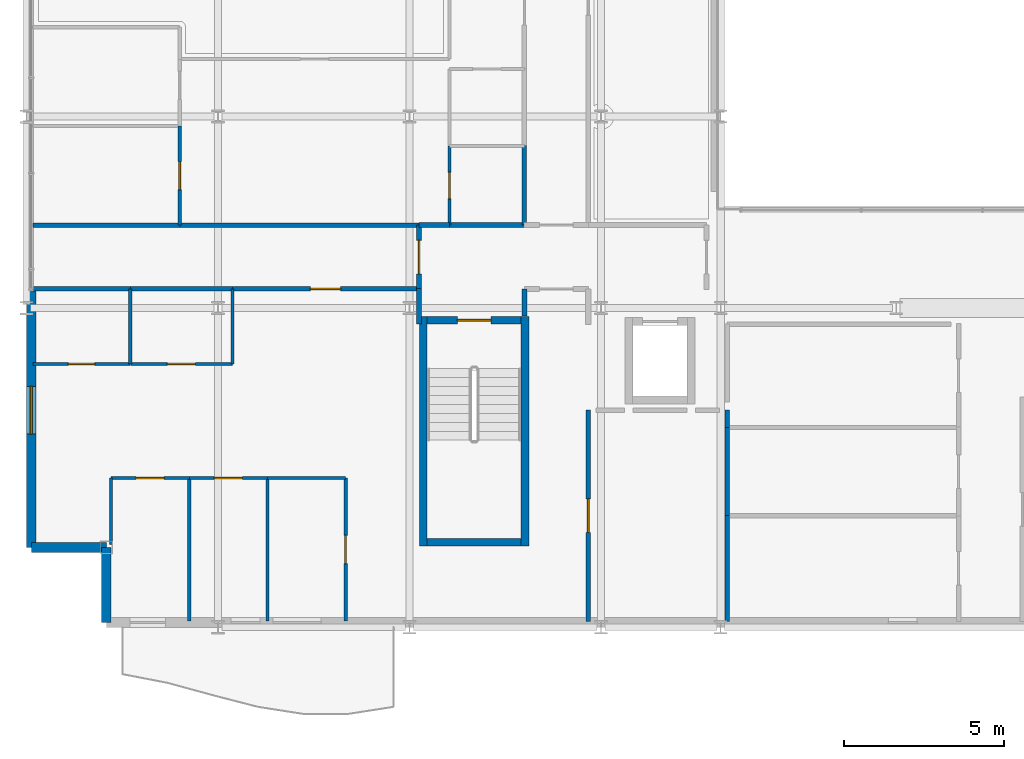
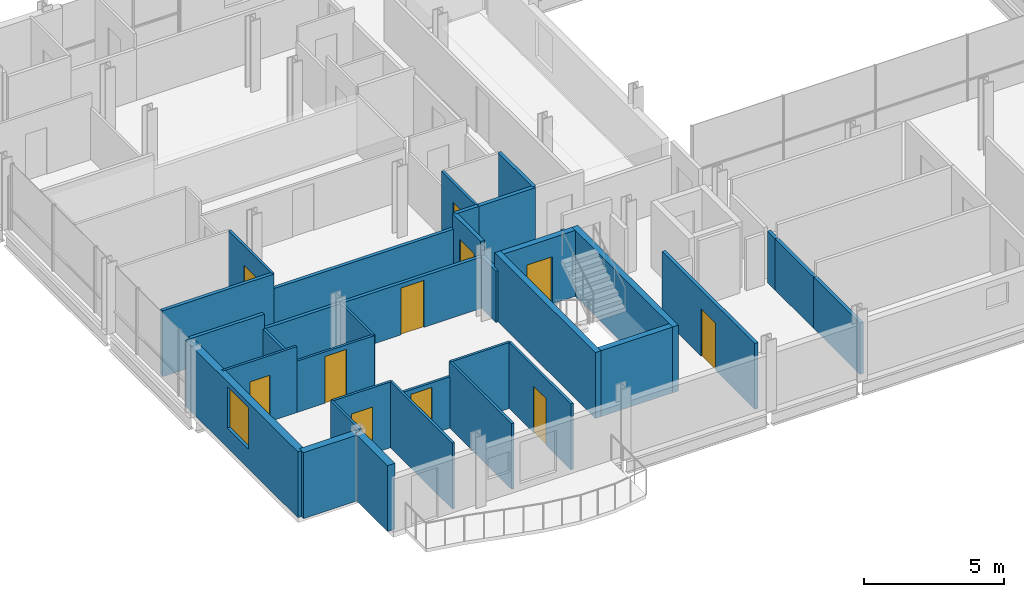
# One storey, part 33 of 41: 35 walls, 11 doors, 1 window, 12 openings.
"""IFC4 building model written with IfcOpenShell, lengths in metres."""

from ifc_helpers import new_model, si_unit, direction, frame, frame_2d, origin, place, context, subcontext, project, spatial, rectangle, extrude, material, layer, layer_set, type_object, element, fill, save


model = new_model("IFC4")

# Units and contexts
model_context = context("Model", 3, precision=1e-05, world=origin(), true_north=direction((0.0, 1.0)))
body_context = subcontext(model_context, "Body", "Model", "MODEL_VIEW")
ifc_project = project(units=[si_unit("LENGTHUNIT", "METRE"), si_unit("AREAUNIT", "SQUARE_METRE"), si_unit("VOLUMEUNIT", "CUBIC_METRE"), si_unit("PLANEANGLEUNIT", "RADIAN"), si_unit("MASSUNIT", "GRAM", prefix="KILO")], contexts=[model_context])

# Site, building, storey
site_placement = place(None, origin())
site = spatial("IfcSite", under=ifc_project, at=site_placement, CompositionType="ELEMENT")
building_placement = place(site_placement, origin())
building = spatial("IfcBuilding", under=site, at=building_placement, Name="Brevholm Reach", CompositionType="ELEMENT")
storey_placement = place(building_placement, frame((0.0, 0.0, 163.5)))
storey = spatial("IfcBuildingStorey", under=building, at=storey_placement, Name="L49", CompositionType="ELEMENT", Elevation=163.5)

# Walls
ifc_material_1 = material(Name="Concrete C45/55", Category="concrete")
ifc_layer_1 = layer(ifc_material_1, 0.239990234375)
ifc_layer_set_1 = layer_set([ifc_layer_1], Name="Concrete C45/55")
wall_type_1 = type_object("IfcWallType", Name="WAL-COR-240", PredefinedType="SHEAR", material=ifc_layer_set_1)
for number, where, z_axis, x_axis, name in (
    (1, (12.429931640625, 2.5400390625, 0.0), (0.0, 0.0, 1.0), (0.0, 1.0, 0.0), "L49 Escape Stair ST-1 Core Wall W"),
    (2, (15.6201171875, 2.5400390625, 0.0), (0.0, 0.0, 1.0), (0.0, 1.0, 0.0), "L49 Escape Stair ST-1 Core Wall E"),
):
    element("IfcWall", number, at=place(storey_placement, frame(where, z_axis=z_axis, x_axis=x_axis)), inside=storey, type_object=wall_type_1, Name=name, PredefinedType="SHEAR", context=body_context, shape_type="SweptSolid", body=[
        extrude(rectangle(XDim=7.199951171875, YDim=0.239990234375, at=frame_2d((3.60009765625, 0.0))), origin(), (0.0, 0.0, 1.0), 2.8798828125),
    ])
wall_1_placement = place(storey_placement, frame((12.550048828125, 2.659912109375, 0.0), z_axis=(0.0, 0.0, 1.0), x_axis=(1.0, 0.0, 0.0)))
element("IfcWall", 3, at=wall_1_placement, inside=storey, type_object=wall_type_1, Name="L49 Escape Stair ST-1 Core Wall S", PredefinedType="SHEAR", context=body_context, shape_type="SweptSolid", body=[
    extrude(rectangle(XDim=2.949951171875, YDim=0.239990234375, at=frame_2d((1.47509765625, 0.0))), origin(), (0.0, 0.0, 1.0), 2.8798828125),
])

# Wall, opening, door
wall_2_placement = place(storey_placement, frame((15.5, 9.6201171875, 0.0), z_axis=(0.0, 0.0, 1.0), x_axis=(-1.0, 0.0, 0.0)))
wall_2 = element("IfcWall", 4, at=wall_2_placement, inside=storey, type_object=wall_type_1, Name="L49 Escape Stair ST-1 Core Wall N", PredefinedType="SHEAR", context=body_context, shape_type="SweptSolid", body=[
    extrude(rectangle(XDim=2.949951171875, YDim=0.239990234375, at=frame_2d((1.47509765625, 0.0))), origin(), (0.0, 0.0, 1.0), 2.8798828125),
])
opening_1_placement = place(wall_2_placement, frame((0.949951171875, 0.0, 0.0)))
opening_1 = element("IfcOpeningElement", 5, at=opening_1_placement, cuts=wall_2, Name="Opening SD-ST-1", PredefinedType="OPENING", context=body_context, shape_type="SweptSolid", body=[
    extrude(rectangle(XDim=1.050048828125, YDim=2.06005859375, at=frame_2d((0.52490234375, 1.030029296875))), frame((0.0, 0.1298828125, 0.0), z_axis=(0.0, -1.0, 0.0), x_axis=(1.0, 0.0, 0.0)), (0.0, 0.0, 1.0), 0.260009765625),
])
ifc_material_2 = material(Name="Hardwood-Lipped Steel-Core Fire and Smoke Door", Category="steel")
door_type_1 = type_object("IfcDoorType", Name="DOR-INT-FD60S", OperationType="NOTDEFINED", PredefinedType="DOOR", material=ifc_material_2)
door_1_placement = place(opening_1_placement, origin())
door_1 = element("IfcDoor", 6, at=door_1_placement, inside=storey, type_object=door_type_1, Name="L49 Protected Stair ST-1 Lobby Door", OperationType="SINGLE_SWING_LEFT", OverallHeight=2.06005859375, OverallWidth=1.050048828125, PredefinedType="DOOR", context=body_context, shape_type="SweptSolid", body=[
    extrude(rectangle(XDim=1.050048828125, YDim=2.06005859375, at=frame_2d((0.52490234375, 1.030029296875))), frame((0.0, 0.02490234375, 0.0), z_axis=(0.0, -1.0, 0.0), x_axis=(1.0, 0.0, 0.0)), (0.0, 0.0, 1.0), 0.050048828125),
])
fill(opening_1, door_1)

# Walls
ifc_material_3 = material(Name="Concrete C40/50", Category="concrete")
ifc_layer_2 = layer(ifc_material_3, 0.300048828125)
ifc_layer_set_2 = layer_set([ifc_layer_2], Name="Concrete C40/50")
wall_type_2 = type_object("IfcWallType", Name="WAL-EXT-300", PredefinedType="STANDARD", material=ifc_layer_set_2)
for number, where, z_axis, x_axis, name in (
    (7, (2.5, 2.5, 0.0), (0.0, 0.0, 1.0), (0.0, -1.0, 0.0), "L49 Facade Wall WAL-L49-CSW1"),
    (8, (0.14990234375, 2.5, 0.0), (0.0, 0.0, 1.0), (1.0, 0.0, 0.0), "L49 Facade Wall WAL-L49-CSW2"),
):
    element("IfcWall", number, at=place(storey_placement, frame(where, z_axis=z_axis, x_axis=x_axis)), inside=storey, type_object=wall_type_2, Name=name, PredefinedType="STANDARD", context=body_context, shape_type="SweptSolid", body=[
        extrude(rectangle(XDim=2.35009765625, YDim=0.300048828125, at=frame_2d((1.175048828125, 0.0))), origin(), (0.0, 0.0, 1.0), 2.8798828125),
    ])

# Wall, opening, window
wall_3_placement = place(storey_placement, frame((0.14990234375, 10.550048828125, 0.0), z_axis=(0.0, 0.0, 1.0), x_axis=(0.0, -1.0, 0.0)))
wall_3 = element("IfcWall", 9, at=wall_3_placement, inside=storey, type_object=wall_type_2, Name="L49 Facade Wall WAL-L49-W-S", PredefinedType="STANDARD", context=body_context, shape_type="SweptSolid", body=[
    extrude(rectangle(XDim=8.050048828125, YDim=0.300048828125, at=frame_2d((4.02490234375, 0.0))), origin(), (0.0, 0.0, 1.0), 2.8798828125),
])
opening_2_placement = place(wall_3_placement, frame((3.0, 0.0, 0.860107421875)))
opening_2 = element("IfcOpeningElement", 10, at=opening_2_placement, cuts=wall_3, Name="Opening WN-05", PredefinedType="OPENING", context=body_context, shape_type="SweptSolid", body=[
    extrude(rectangle(XDim=1.5, YDim=1.800048828125, at=frame_2d((0.75, 0.89990234375))), frame((0.0, 0.159912109375, 0.0), z_axis=(0.0, -1.0, 0.0), x_axis=(1.0, 0.0, 0.0)), (0.0, 0.0, 1.0), 0.320068359375),
])
ifc_material_4 = material(Name="Dark Anodised Aluminium and Solar-Control IGU Glass", Category="aluminium")
window_type = type_object("IfcWindowType", Name="WIN-RES-1500", PartitioningType="SINGLE_PANEL", PredefinedType="WINDOW", material=ifc_material_4)
window_placement = place(opening_2_placement, origin())
window = element("IfcWindow", 11, at=window_placement, inside=storey, type_object=window_type, Name="L49 Window WIN-L49-WS-1", OverallHeight=1.800048828125, OverallWidth=1.5, PartitioningType="SINGLE_PANEL", PredefinedType="WINDOW", context=body_context, shape_type="SweptSolid", body=[
    extrude(rectangle(XDim=1.5, YDim=1.800048828125, at=frame_2d((0.75, 0.89990234375))), frame((0.0, 0.030029296875, 0.0), z_axis=(0.0, -1.0, 0.0), x_axis=(1.0, 0.0, 0.0)), (0.0, 0.0, 1.0), 0.06005859375),
])
fill(opening_2, window)

# Wall
ifc_material_5 = material(Name="Moisture-Resistant Acoustic Gypsum Stud Partition 100 mm", Category="gypsum")
ifc_layer_3 = layer(ifc_material_5, 0.10009765625)
ifc_layer_set_3 = layer_set([ifc_layer_3], Name="Moisture-Resistant Acoustic Gypsum Stud Partition 100 mm")
wall_type_3 = type_object("IfcWallType", Name="WAL-PRT-100", PredefinedType="PARTITIONING", material=ifc_layer_set_3)
wall_4_placement = place(storey_placement, frame((3.25, 8.25, 0.0), z_axis=(0.0, 0.0, 1.0), x_axis=(0.0, 1.0, 0.0)))
element("IfcWall", 12, at=wall_4_placement, inside=storey, type_object=wall_type_3, Name="L49 Internal Partition 061", PredefinedType="PARTITIONING", context=body_context, shape_type="SweptSolid", body=[
    extrude(rectangle(XDim=2.345947265625, YDim=0.10009765625, at=frame_2d((1.1728515625, 0.0))), origin(), (0.0, 0.0, 1.0), 2.242919921875),
])

# Wall, opening, door
wall_5_placement = place(storey_placement, frame((0.199951171875, 8.25, 0.0), z_axis=(0.0, 0.0, 1.0), x_axis=(1.0, 0.0, 0.0)))
wall_5 = element("IfcWall", 13, at=wall_5_placement, inside=storey, type_object=wall_type_3, Name="L49 Internal Partition 062", PredefinedType="PARTITIONING", context=body_context, shape_type="SweptSolid", body=[
    extrude(rectangle(XDim=3.050048828125, YDim=0.10009765625, at=frame_2d((1.52490234375, 0.0))), origin(), (0.0, 0.0, 1.0), 2.8798828125),
])
opening_3_placement = place(wall_5_placement, frame((1.114990234375, 0.0, 0.0)))
opening_3 = element("IfcOpeningElement", 14, at=opening_3_placement, cuts=wall_5, Name="Opening ID-03", PredefinedType="OPENING", context=body_context, shape_type="SweptSolid", body=[
    extrude(rectangle(XDim=0.820068359375, YDim=2.02001953125, at=frame_2d((0.41015625, 1.010009765625))), frame((0.0, 0.06005859375, 0.0), z_axis=(0.0, -1.0, 0.0), x_axis=(1.0, 0.0, 0.0)), (0.0, 0.0, 1.0), 0.1201171875),
])
ifc_material_6 = material(Name="Moisture-Resistant Painted Timber Internal Bathroom Door", Category="wood")
door_type_2 = type_object("IfcDoorType", Name="DOR-BATH-820", OperationType="NOTDEFINED", PredefinedType="DOOR", material=ifc_material_6)
door_2_placement = place(opening_3_placement, origin())
door_2 = element("IfcDoor", 15, at=door_2_placement, inside=storey, type_object=door_type_2, Name="L49 Internal Door 028", OperationType="SINGLE_SWING_RIGHT", OverallHeight=2.02001953125, OverallWidth=0.820068359375, PredefinedType="DOOR", context=body_context, shape_type="SweptSolid", body=[
    extrude(rectangle(XDim=0.820068359375, YDim=2.02001953125, at=frame_2d((0.41015625, 1.010009765625))), frame((0.0, 0.02490234375, 0.0), z_axis=(0.0, -1.0, 0.0), x_axis=(1.0, 0.0, 0.0)), (0.0, 0.0, 1.0), 0.050048828125),
])
fill(opening_3, door_2)

wall_6_placement = place(storey_placement, frame((3.25390625, 8.25, 0.0), z_axis=(0.0, 0.0, 1.0), x_axis=(1.0, 0.0, 0.0)))
wall_6 = element("IfcWall", 16, at=wall_6_placement, inside=storey, type_object=wall_type_3, Name="L49 Internal Partition 063", PredefinedType="PARTITIONING", context=body_context, shape_type="SweptSolid", body=[
    extrude(rectangle(XDim=3.196044921875, YDim=0.10009765625, at=frame_2d((1.59814453125, 0.0))), origin(), (0.0, 0.0, 1.0), 2.242919921875),
])
opening_4_placement = place(wall_6_placement, frame((1.157958984375, 0.0, 0.0)))
opening_4 = element("IfcOpeningElement", 17, at=opening_4_placement, cuts=wall_6, Name="Opening ID-01", PredefinedType="OPENING", context=body_context, shape_type="SweptSolid", body=[
    extrude(rectangle(XDim=0.8798828125, YDim=2.0400390625, at=frame_2d((0.43994140625, 1.02001953125))), frame((0.0, 0.06005859375, 0.0), z_axis=(0.0, -1.0, 0.0), x_axis=(1.0, 0.0, 0.0)), (0.0, 0.0, 1.0), 0.1201171875),
])
ifc_material_7 = material(Name="Lacquered Ash Solid-Core Acoustic Internal Door", Category="timber")
door_type_3 = type_object("IfcDoorType", Name="DOR-INT-880", OperationType="NOTDEFINED", PredefinedType="DOOR", material=ifc_material_7)
door_3_placement = place(opening_4_placement, origin())
door_3 = element("IfcDoor", 18, at=door_3_placement, inside=storey, type_object=door_type_3, Name="L49 Internal Door 029", OperationType="SINGLE_SWING_LEFT", OverallHeight=2.0400390625, OverallWidth=0.8798828125, PredefinedType="DOOR", context=body_context, shape_type="SweptSolid", body=[
    extrude(rectangle(XDim=0.8798828125, YDim=2.0400390625, at=frame_2d((0.43994140625, 1.02001953125))), frame((0.0, 0.02490234375, 0.0), z_axis=(0.0, -1.0, 0.0), x_axis=(1.0, 0.0, 0.0)), (0.0, 0.0, 1.0), 0.050048828125),
])
fill(opening_4, door_3)

# Walls
wall_7_placement = place(storey_placement, frame((6.449951171875, 8.25, 0.0), z_axis=(0.0, 0.0, 1.0), x_axis=(0.0, 1.0, 0.0)))
element("IfcWall", 19, at=wall_7_placement, inside=storey, type_object=wall_type_3, Name="L49 Internal Partition 064", PredefinedType="PARTITIONING", context=body_context, shape_type="SweptSolid", body=[
    extrude(rectangle(XDim=2.345947265625, YDim=0.10009765625, at=frame_2d((1.1728515625, 0.0))), origin(), (0.0, 0.0, 1.0), 2.242919921875),
])
wall_8_placement = place(storey_placement, frame((5.10009765625, 0.199951171875, 0.0), z_axis=(0.0, 0.0, 1.0), x_axis=(0.0, 1.0, 0.0)))
element("IfcWall", 20, at=wall_8_placement, inside=storey, type_object=wall_type_3, Name="L49 Internal Partition 065", PredefinedType="PARTITIONING", context=body_context, shape_type="SweptSolid", body=[
    extrude(rectangle(XDim=4.47216796875, YDim=0.10009765625, at=frame_2d((2.236083984375, 0.0))), origin(), (0.0, 0.0, 1.0), 2.8798828125),
])
wall_9_placement = place(storey_placement, frame((2.64990234375, 2.599365234375, 0.0), z_axis=(0.0, 0.0, 1.0), x_axis=(0.0, 1.0, 0.0)))
element("IfcWall", 21, at=wall_9_placement, inside=storey, type_object=wall_type_3, Name="L49 Internal Partition 066", PredefinedType="PARTITIONING", context=body_context, shape_type="SweptSolid", body=[
    extrude(rectangle(XDim=2.07275390625, YDim=0.10009765625, at=frame_2d((1.036376953125, 0.0))), origin(), (0.0, 0.0, 1.0), 2.8798828125),
])

# Wall, opening, door
wall_10_placement = place(storey_placement, frame((2.64990234375, 4.672119140625, 0.0), z_axis=(0.0, 0.0, 1.0), x_axis=(1.0, 0.0, 0.0)))
wall_10 = element("IfcWall", 22, at=wall_10_placement, inside=storey, type_object=wall_type_3, Name="L49 Internal Partition 067", PredefinedType="PARTITIONING", context=body_context, shape_type="SweptSolid", body=[
    extrude(rectangle(XDim=2.4501953125, YDim=0.10009765625, at=frame_2d((1.22509765625, 0.0))), origin(), (0.0, 0.0, 1.0), 2.8798828125),
])
opening_5_placement = place(wall_10_placement, frame((0.784912109375, 0.0, 0.0)))
opening_5 = element("IfcOpeningElement", 23, at=opening_5_placement, cuts=wall_10, Name="Opening ID-01", PredefinedType="OPENING", context=body_context, shape_type="SweptSolid", body=[
    extrude(rectangle(XDim=0.8798828125, YDim=2.0400390625, at=frame_2d((0.43994140625, 1.02001953125))), frame((0.0, 0.06005859375, 0.0), z_axis=(0.0, -1.0, 0.0), x_axis=(1.0, 0.0, 0.0)), (0.0, 0.0, 1.0), 0.1201171875),
])
door_4_placement = place(opening_5_placement, origin())
door_4 = element("IfcDoor", 24, at=door_4_placement, inside=storey, type_object=door_type_3, Name="L49 Internal Door 030", OperationType="SINGLE_SWING_RIGHT", OverallHeight=2.0400390625, OverallWidth=0.8798828125, PredefinedType="DOOR", context=body_context, shape_type="SweptSolid", body=[
    extrude(rectangle(XDim=0.8798828125, YDim=2.0400390625, at=frame_2d((0.43994140625, 1.02001953125))), frame((0.0, 0.02490234375, 0.0), z_axis=(0.0, -1.0, 0.0), x_axis=(1.0, 0.0, 0.0)), (0.0, 0.0, 1.0), 0.050048828125),
])
fill(opening_5, door_4)

# Wall
wall_11_placement = place(storey_placement, frame((7.550048828125, 0.199951171875, 0.0), z_axis=(0.0, 0.0, 1.0), x_axis=(0.0, 1.0, 0.0)))
element("IfcWall", 25, at=wall_11_placement, inside=storey, type_object=wall_type_3, Name="L49 Internal Partition 068", PredefinedType="PARTITIONING", context=body_context, shape_type="SweptSolid", body=[
    extrude(rectangle(XDim=4.47216796875, YDim=0.10009765625, at=frame_2d((2.236083984375, 0.0))), origin(), (0.0, 0.0, 1.0), 2.8798828125),
])

# Wall, opening, door
wall_12_placement = place(storey_placement, frame((5.10400390625, 4.672119140625, 0.0), z_axis=(0.0, 0.0, 1.0), x_axis=(1.0, 0.0, 0.0)))
wall_12 = element("IfcWall", 26, at=wall_12_placement, inside=storey, type_object=wall_type_3, Name="L49 Internal Partition 069", PredefinedType="PARTITIONING", context=body_context, shape_type="SweptSolid", body=[
    extrude(rectangle(XDim=2.446044921875, YDim=0.10009765625, at=frame_2d((1.22314453125, 0.0))), origin(), (0.0, 0.0, 1.0), 2.242919921875),
])
opening_6_placement = place(wall_12_placement, frame((0.782958984375, 0.0, 0.0)))
opening_6 = element("IfcOpeningElement", 27, at=opening_6_placement, cuts=wall_12, Name="Opening ID-01", PredefinedType="OPENING", context=body_context, shape_type="SweptSolid", body=[
    extrude(rectangle(XDim=0.8798828125, YDim=2.0400390625, at=frame_2d((0.43994140625, 1.02001953125))), frame((0.0, 0.06005859375, 0.0), z_axis=(0.0, -1.0, 0.0), x_axis=(1.0, 0.0, 0.0)), (0.0, 0.0, 1.0), 0.1201171875),
])
door_5_placement = place(opening_6_placement, origin())
door_5 = element("IfcDoor", 28, at=door_5_placement, inside=storey, type_object=door_type_3, Name="L49 Internal Door 031", OperationType="SINGLE_SWING_LEFT", OverallHeight=2.0400390625, OverallWidth=0.8798828125, PredefinedType="DOOR", context=body_context, shape_type="SweptSolid", body=[
    extrude(rectangle(XDim=0.8798828125, YDim=2.0400390625, at=frame_2d((0.43994140625, 1.02001953125))), frame((0.0, 0.02490234375, 0.0), z_axis=(0.0, -1.0, 0.0), x_axis=(1.0, 0.0, 0.0)), (0.0, 0.0, 1.0), 0.050048828125),
])
fill(opening_6, door_5)

wall_13_placement = place(storey_placement, frame((10.0, 0.199951171875, 0.0), z_axis=(0.0, 0.0, 1.0), x_axis=(0.0, 1.0, 0.0)))
wall_13 = element("IfcWall", 29, at=wall_13_placement, inside=storey, type_object=wall_type_3, Name="L49 Internal Partition 070", PredefinedType="PARTITIONING", context=body_context, shape_type="SweptSolid", body=[
    extrude(rectangle(XDim=4.47216796875, YDim=0.10009765625, at=frame_2d((2.236083984375, 0.0))), origin(), (0.0, 0.0, 1.0), 2.8798828125),
])
opening_7_placement = place(wall_13_placement, frame((1.7958984375, 0.0, 0.0)))
opening_7 = element("IfcOpeningElement", 30, at=opening_7_placement, cuts=wall_13, Name="Opening ID-01", PredefinedType="OPENING", context=body_context, shape_type="SweptSolid", body=[
    extrude(rectangle(XDim=0.8798828125, YDim=2.0400390625, at=frame_2d((0.43994140625, 1.02001953125))), frame((0.0, 0.06005859375, 0.0), z_axis=(0.0, -1.0, 0.0), x_axis=(1.0, 0.0, 0.0)), (0.0, 0.0, 1.0), 0.1201171875),
])
door_6_placement = place(opening_7_placement, origin())
door_6 = element("IfcDoor", 31, at=door_6_placement, inside=storey, type_object=door_type_3, Name="L49 Internal Door 032", OperationType="SINGLE_SWING_RIGHT", OverallHeight=2.0400390625, OverallWidth=0.8798828125, PredefinedType="DOOR", context=body_context, shape_type="SweptSolid", body=[
    extrude(rectangle(XDim=0.8798828125, YDim=2.0400390625, at=frame_2d((0.43994140625, 1.02001953125))), frame((0.0, 0.02490234375, 0.0), z_axis=(0.0, -1.0, 0.0), x_axis=(1.0, 0.0, 0.0)), (0.0, 0.0, 1.0), 0.050048828125),
])
fill(opening_7, door_6)

# Wall
wall_14_placement = place(storey_placement, frame((7.553955078125, 4.672119140625, 0.0), z_axis=(0.0, 0.0, 1.0), x_axis=(1.0, 0.0, 0.0)))
element("IfcWall", 32, at=wall_14_placement, inside=storey, type_object=wall_type_3, Name="L49 Internal Partition 071", PredefinedType="PARTITIONING", context=body_context, shape_type="SweptSolid", body=[
    extrude(rectangle(XDim=2.446044921875, YDim=0.10009765625, at=frame_2d((1.22314453125, 0.0))), origin(), (0.0, 0.0, 1.0), 2.8798828125),
])

# Wall, opening, door
wall_15_placement = place(storey_placement, frame((13.25, 12.60400390625, 0.0), z_axis=(0.0, 0.0, 1.0), x_axis=(0.0, 1.0, 0.0)))
wall_15 = element("IfcWall", 33, at=wall_15_placement, inside=storey, type_object=wall_type_3, Name="L49 Internal Partition 073", PredefinedType="PARTITIONING", context=body_context, shape_type="SweptSolid", body=[
    extrude(rectangle(XDim=2.47802734375, YDim=0.10009765625, at=frame_2d((1.239013671875, 0.0))), origin(), (0.0, 0.0, 1.0), 2.8798828125),
])
opening_8_placement = place(wall_15_placement, frame((0.8291015625, 0.0, 0.0)))
opening_8 = element("IfcOpeningElement", 34, at=opening_8_placement, cuts=wall_15, Name="Opening ID-03", PredefinedType="OPENING", context=body_context, shape_type="SweptSolid", body=[
    extrude(rectangle(XDim=0.820068359375, YDim=2.02001953125, at=frame_2d((0.41015625, 1.010009765625))), frame((0.0, 0.06005859375, 0.0), z_axis=(0.0, -1.0, 0.0), x_axis=(1.0, 0.0, 0.0)), (0.0, 0.0, 1.0), 0.1201171875),
])
door_7_placement = place(opening_8_placement, origin())
door_7 = element("IfcDoor", 35, at=door_7_placement, inside=storey, type_object=door_type_2, Name="L49 Internal Door 033", OperationType="SINGLE_SWING_LEFT", OverallHeight=2.02001953125, OverallWidth=0.820068359375, PredefinedType="DOOR", context=body_context, shape_type="SweptSolid", body=[
    extrude(rectangle(XDim=0.820068359375, YDim=2.02001953125, at=frame_2d((0.41015625, 1.010009765625))), frame((0.0, 0.02490234375, 0.0), z_axis=(0.0, -1.0, 0.0), x_axis=(1.0, 0.0, 0.0)), (0.0, 0.0, 1.0), 0.050048828125),
])
fill(opening_8, door_7)

wall_16_placement = place(storey_placement, frame((4.800048828125, 12.60400390625, 0.0), z_axis=(0.0, 0.0, 1.0), x_axis=(0.0, 1.0, 0.0)))
wall_16 = element("IfcWall", 36, at=wall_16_placement, inside=storey, type_object=wall_type_3, Name="L49 Internal Partition 077", PredefinedType="PARTITIONING", context=body_context, shape_type="SweptSolid", body=[
    extrude(rectangle(XDim=3.095947265625, YDim=0.10009765625, at=frame_2d((1.5478515625, 0.0))), origin(), (0.0, 0.0, 1.0), 2.8798828125),
])
opening_9_placement = place(wall_16_placement, frame((1.10791015625, 0.0, 0.0)))
opening_9 = element("IfcOpeningElement", 37, at=opening_9_placement, cuts=wall_16, Name="Opening ID-01", PredefinedType="OPENING", context=body_context, shape_type="SweptSolid", body=[
    extrude(rectangle(XDim=0.8798828125, YDim=2.0400390625, at=frame_2d((0.43994140625, 1.02001953125))), frame((0.0, 0.06005859375, 0.0), z_axis=(0.0, -1.0, 0.0), x_axis=(1.0, 0.0, 0.0)), (0.0, 0.0, 1.0), 0.1201171875),
])
door_8_placement = place(opening_9_placement, origin())
door_8 = element("IfcDoor", 38, at=door_8_placement, inside=storey, type_object=door_type_3, Name="L49 Internal Door 035", OperationType="SINGLE_SWING_LEFT", OverallHeight=2.0400390625, OverallWidth=0.8798828125, PredefinedType="DOOR", context=body_context, shape_type="SweptSolid", body=[
    extrude(rectangle(XDim=0.8798828125, YDim=2.0400390625, at=frame_2d((0.43994140625, 1.02001953125))), frame((0.0, 0.02490234375, 0.0), z_axis=(0.0, -1.0, 0.0), x_axis=(1.0, 0.0, 0.0)), (0.0, 0.0, 1.0), 0.050048828125),
])
fill(opening_9, door_8)

# Walls
ifc_material_8 = material(Name="Twin-Stud Acoustic Fire-Rated Gypsum Partition 140 mm", Category="gypsum")
ifc_layer_4 = layer(ifc_material_8, 0.139892578125)
ifc_layer_set_4 = layer_set([ifc_layer_4], Name="Twin-Stud Acoustic Fire-Rated Gypsum Partition 140 mm")
wall_type_4 = type_object("IfcWallType", Name="WAL-PRT-140", PredefinedType="PARTITIONING", material=ifc_layer_set_4)
wall_17_placement = place(storey_placement, frame((21.949951171875, 0.179931640625, 0.0), z_axis=(0.0, 0.0, 1.0), x_axis=(0.0, 1.0, 0.0)))
element("IfcWall", 39, at=wall_17_placement, inside=storey, type_object=wall_type_4, Name="L49 Internal Partition 006", PredefinedType="PARTITIONING", context=body_context, shape_type="SweptSolid", body=[
    extrude(rectangle(XDim=3.316162109375, YDim=0.139892578125, at=frame_2d((1.658203125, 0.0))), origin(), (0.0, 0.0, 1.0), 2.242919921875),
])
wall_18_placement = place(storey_placement, frame((21.949951171875, 3.5, 0.0), z_axis=(0.0, 0.0, 1.0), x_axis=(0.0, 1.0, 0.0)))
element("IfcWall", 40, at=wall_18_placement, inside=storey, type_object=wall_type_4, Name="L49 Internal Partition 008", PredefinedType="PARTITIONING", context=body_context, shape_type="SweptSolid", body=[
    extrude(rectangle(XDim=2.759033203125, YDim=0.139892578125, at=frame_2d((1.37939453125, 0.0))), origin(), (0.0, 0.0, 1.0), 2.242919921875),
])
wall_19_placement = place(storey_placement, frame((21.949951171875, 6.262939453125, 0.0), z_axis=(0.0, 0.0, 1.0), x_axis=(0.0, 1.0, 0.0)))
element("IfcWall", 41, at=wall_19_placement, inside=storey, type_object=wall_type_4, Name="L49 Internal Partition 009", PredefinedType="PARTITIONING", context=body_context, shape_type="SweptSolid", body=[
    extrude(rectangle(XDim=0.54833984375, YDim=0.139892578125, at=frame_2d((0.274169921875, 0.0))), origin(), (0.0, 0.0, 1.0), 2.242919921875),
])

# Wall, opening, door
wall_20_placement = place(storey_placement, frame((17.60009765625, 0.179931640625, 0.0), z_axis=(0.0, 0.0, 1.0), x_axis=(0.0, 1.0, 0.0)))
wall_20 = element("IfcWall", 42, at=wall_20_placement, inside=storey, type_object=wall_type_4, Name="L49 Internal Partition 015", PredefinedType="PARTITIONING", context=body_context, shape_type="SweptSolid", body=[
    extrude(rectangle(XDim=6.63134765625, YDim=0.139892578125, at=frame_2d((3.315673828125, 0.0))), origin(), (0.0, 0.0, 1.0), 2.8798828125),
])
opening_10_placement = place(wall_20_placement, frame((2.790771484375, 0.0, 0.0)))
opening_10 = element("IfcOpeningElement", 43, at=opening_10_placement, cuts=wall_20, Name="Opening FD-01", PredefinedType="OPENING", context=body_context, shape_type="SweptSolid", body=[
    extrude(rectangle(XDim=1.050048828125, YDim=2.06005859375, at=frame_2d((0.52490234375, 1.030029296875))), frame((0.0, 0.079833984375, 0.0), z_axis=(0.0, -1.0, 0.0), x_axis=(1.0, 0.0, 0.0)), (0.0, 0.0, 1.0), 0.159912109375),
])
door_9_placement = place(opening_10_placement, origin())
door_9 = element("IfcDoor", 44, at=door_9_placement, inside=storey, type_object=door_type_1, Name="L49 Internal Door 008", OperationType="SINGLE_SWING_RIGHT", OverallHeight=2.06005859375, OverallWidth=1.050048828125, PredefinedType="DOOR", context=body_context, shape_type="SweptSolid", body=[
    extrude(rectangle(XDim=1.050048828125, YDim=2.06005859375, at=frame_2d((0.52490234375, 1.030029296875))), frame((0.0, 0.02490234375, 0.0), z_axis=(0.0, -1.0, 0.0), x_axis=(1.0, 0.0, 0.0)), (0.0, 0.0, 1.0), 0.050048828125),
])
fill(opening_10, door_9)

# Walls
wall_21_placement = place(storey_placement, frame((15.60009765625, 12.60400390625, 0.0), z_axis=(0.0, 0.0, 1.0), x_axis=(0.0, 1.0, 0.0)))
element("IfcWall", 45, at=wall_21_placement, inside=storey, type_object=wall_type_4, Name="L49 Internal Partition 034", PredefinedType="PARTITIONING", context=body_context, shape_type="SweptSolid", body=[
    extrude(rectangle(XDim=2.4892578125, YDim=0.139892578125, at=frame_2d((1.24462890625, 0.0))), origin(), (0.0, 0.0, 1.0), 2.8798828125),
])
wall_22_placement = place(storey_placement, frame((0.199951171875, 10.60009765625, 0.0), z_axis=(0.0, 0.0, 1.0), x_axis=(1.0, 0.0, 0.0)))
element("IfcWall", 46, at=wall_22_placement, inside=storey, type_object=wall_type_4, Name="L49 Internal Partition 056", PredefinedType="PARTITIONING", context=body_context, shape_type="SweptSolid", body=[
    extrude(rectangle(XDim=3.061279296875, YDim=0.139892578125, at=frame_2d((1.53076171875, 0.0))), origin(), (0.0, 0.0, 1.0), 2.8798828125),
])
wall_23_placement = place(storey_placement, frame((3.24267578125, 10.60009765625, 0.0), z_axis=(0.0, 0.0, 1.0), x_axis=(1.0, 0.0, 0.0)))
element("IfcWall", 47, at=wall_23_placement, inside=storey, type_object=wall_type_4, Name="L49 Internal Partition 057", PredefinedType="PARTITIONING", context=body_context, shape_type="SweptSolid", body=[
    extrude(rectangle(XDim=3.218505859375, YDim=0.139892578125, at=frame_2d((1.609375, 0.0))), origin(), (0.0, 0.0, 1.0), 2.242919921875),
])

# Wall, opening, door
wall_24_placement = place(storey_placement, frame((6.442626953125, 10.60009765625, 0.0), z_axis=(0.0, 0.0, 1.0), x_axis=(1.0, 0.0, 0.0)))
wall_24 = element("IfcWall", 48, at=wall_24_placement, inside=storey, type_object=wall_type_4, Name="L49 Internal Partition 058", PredefinedType="PARTITIONING", context=body_context, shape_type="SweptSolid", body=[
    extrude(rectangle(XDim=5.853271484375, YDim=0.139892578125, at=frame_2d((2.9267578125, 0.0))), origin(), (0.0, 0.0, 1.0), 2.242919921875),
])
opening_11_placement = place(wall_24_placement, frame((2.45166015625, 0.0, 0.0)))
opening_11 = element("IfcOpeningElement", 49, at=opening_11_placement, cuts=wall_24, Name="Opening ID-30", PredefinedType="OPENING", context=body_context, shape_type="SweptSolid", body=[
    extrude(rectangle(XDim=0.949951171875, YDim=2.050048828125, at=frame_2d((0.47509765625, 1.02490234375))), frame((0.0, 0.079833984375, 0.0), z_axis=(0.0, -1.0, 0.0), x_axis=(1.0, 0.0, 0.0)), (0.0, 0.0, 1.0), 0.159912109375),
])
ifc_material_9 = material(Name="European Oak Veneered Solid-Core Fire Entrance Door", Category="timber")
door_type_4 = type_object("IfcDoorType", Name="DOR-FLT-FD30S", OperationType="NOTDEFINED", PredefinedType="DOOR", material=ifc_material_9)
door_10_placement = place(opening_11_placement, origin())
door_10 = element("IfcDoor", 50, at=door_10_placement, inside=storey, type_object=door_type_4, Name="L49 Internal Door 027", OperationType="SINGLE_SWING_LEFT", OverallHeight=2.050048828125, OverallWidth=0.949951171875, PredefinedType="DOOR", context=body_context, shape_type="SweptSolid", body=[
    extrude(rectangle(XDim=0.949951171875, YDim=2.050048828125, at=frame_2d((0.47509765625, 1.02490234375))), frame((0.0, 0.02490234375, 0.0), z_axis=(0.0, -1.0, 0.0), x_axis=(1.0, 0.0, 0.0)), (0.0, 0.0, 1.0), 0.050048828125),
])
fill(opening_11, door_10)

# Walls
wall_25_placement = place(storey_placement, frame((0.199951171875, 12.60009765625, 0.0), z_axis=(0.0, 0.0, 1.0), x_axis=(1.0, 0.0, 0.0)))
element("IfcWall", 51, at=wall_25_placement, inside=storey, type_object=wall_type_4, Name="L49 Internal Partition 059", PredefinedType="PARTITIONING", context=body_context, shape_type="SweptSolid", body=[
    extrude(rectangle(XDim=4.611328125, YDim=0.139892578125, at=frame_2d((2.3056640625, 0.0))), origin(), (0.0, 0.0, 1.0), 2.8798828125),
])
wall_26_placement = place(storey_placement, frame((4.792724609375, 12.60009765625, 0.0), z_axis=(0.0, 0.0, 1.0), x_axis=(1.0, 0.0, 0.0)))
element("IfcWall", 52, at=wall_26_placement, inside=storey, type_object=wall_type_4, Name="L49 Internal Partition 060", PredefinedType="PARTITIONING", context=body_context, shape_type="SweptSolid", body=[
    extrude(rectangle(XDim=7.503173828125, YDim=0.139892578125, at=frame_2d((3.75146484375, 0.0))), origin(), (0.0, 0.0, 1.0), 2.242919921875),
])
ifc_material_10 = material(Name="Twin-Frame Fire-Rated Gypsum Board and Mineral Wool 160 mm", Category="gypsum")
ifc_layer_5 = layer(ifc_material_10, 0.159912109375)
ifc_layer_set_5 = layer_set([ifc_layer_5], Name="Twin-Frame Fire-Rated Gypsum Board and Mineral Wool 160 mm")
wall_type_5 = type_object("IfcWallType", Name="WAL-PRT-160", PredefinedType="PARTITIONING", material=ifc_layer_set_5)
wall_27_placement = place(storey_placement, frame((15.60009765625, 9.75, 0.0), z_axis=(0.0, 0.0, 1.0), x_axis=(0.0, 1.0, 0.0)))
element("IfcWall", 53, at=wall_27_placement, inside=storey, type_object=wall_type_5, Name="L49 Internal Partition 016", PredefinedType="PARTITIONING", context=body_context, shape_type="SweptSolid", body=[
    extrude(rectangle(XDim=0.85009765625, YDim=0.159912109375, at=frame_2d((0.425048828125, 0.0))), origin(), (0.0, 0.0, 1.0), 2.242919921875),
])

# Wall, opening, door
wall_28_placement = place(storey_placement, frame((12.300048828125, 10.588623046875, 0.0), z_axis=(0.0, 0.0, 1.0), x_axis=(0.0, 1.0, 0.0)))
wall_28 = element("IfcWall", 54, at=wall_28_placement, inside=storey, type_object=wall_type_5, Name="L49 Internal Partition 022", PredefinedType="PARTITIONING", context=body_context, shape_type="SweptSolid", body=[
    extrude(rectangle(XDim=2.011474609375, YDim=0.159912109375, at=frame_2d((1.005859375, 0.0))), origin(), (0.0, 0.0, 1.0), 2.8798828125),
])
opening_12_placement = place(wall_28_placement, frame((0.480712890625, 0.0, 0.0)))
opening_12 = element("IfcOpeningElement", 55, at=opening_12_placement, cuts=wall_28, Name="Opening FD-01", PredefinedType="OPENING", context=body_context, shape_type="SweptSolid", body=[
    extrude(rectangle(XDim=1.050048828125, YDim=2.06005859375, at=frame_2d((0.52490234375, 1.030029296875))), frame((0.0, 0.08984375, 0.0), z_axis=(0.0, -1.0, 0.0), x_axis=(1.0, 0.0, 0.0)), (0.0, 0.0, 1.0), 0.179931640625),
])
door_11_placement = place(opening_12_placement, origin())
door_11 = element("IfcDoor", 56, at=door_11_placement, inside=storey, type_object=door_type_1, Name="L49 Internal Door 012", OperationType="SINGLE_SWING_RIGHT", OverallHeight=2.06005859375, OverallWidth=1.050048828125, PredefinedType="DOOR", context=body_context, shape_type="SweptSolid", body=[
    extrude(rectangle(XDim=1.050048828125, YDim=2.06005859375, at=frame_2d((0.52490234375, 1.030029296875))), frame((0.0, 0.02490234375, 0.0), z_axis=(0.0, -1.0, 0.0), x_axis=(1.0, 0.0, 0.0)), (0.0, 0.0, 1.0), 0.050048828125),
])
fill(opening_12, door_11)

# Walls
wall_29_placement = place(storey_placement, frame((12.300048828125, 9.5, 0.0), z_axis=(0.0, 0.0, 1.0), x_axis=(0.0, 1.0, 0.0)))
element("IfcWall", 57, at=wall_29_placement, inside=storey, type_object=wall_type_5, Name="L49 Internal Partition 023", PredefinedType="PARTITIONING", context=body_context, shape_type="SweptSolid", body=[
    extrude(rectangle(XDim=1.107421875, YDim=0.159912109375, at=frame_2d((0.5537109375, 0.0))), origin(), (0.0, 0.0, 1.0), 2.242919921875),
])
wall_30_placement = place(storey_placement, frame((13.23876953125, 12.60009765625, 0.0), z_axis=(0.0, 0.0, 1.0), x_axis=(1.0, 0.0, 0.0)))
element("IfcWall", 58, at=wall_30_placement, inside=storey, type_object=wall_type_5, Name="L49 Internal Partition 024", PredefinedType="PARTITIONING", context=body_context, shape_type="SweptSolid", body=[
    extrude(rectangle(XDim=2.36865234375, YDim=0.159912109375, at=frame_2d((1.184326171875, 0.0))), origin(), (0.0, 0.0, 1.0), 2.8798828125),
])
wall_31_placement = place(storey_placement, frame((12.300048828125, 12.60009765625, 0.0), z_axis=(0.0, 0.0, 1.0), x_axis=(1.0, 0.0, 0.0)))
element("IfcWall", 59, at=wall_31_placement, inside=storey, type_object=wall_type_5, Name="L49 Internal Partition 025", PredefinedType="PARTITIONING", context=body_context, shape_type="SweptSolid", body=[
    extrude(rectangle(XDim=0.957275390625, YDim=0.159912109375, at=frame_2d((0.478515625, 0.0))), origin(), (0.0, 0.0, 1.0), 2.8798828125),
])

save(model, "model.ifc")
